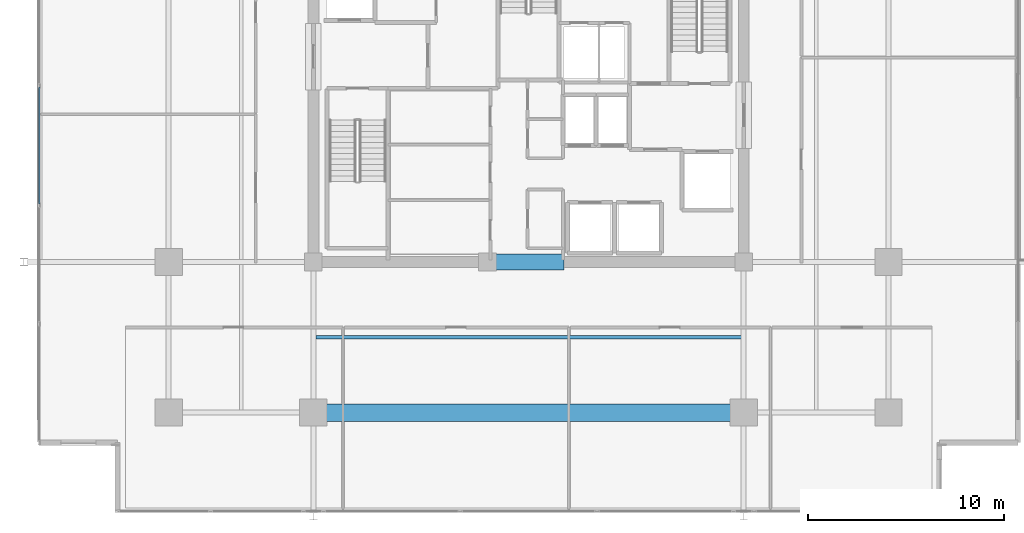
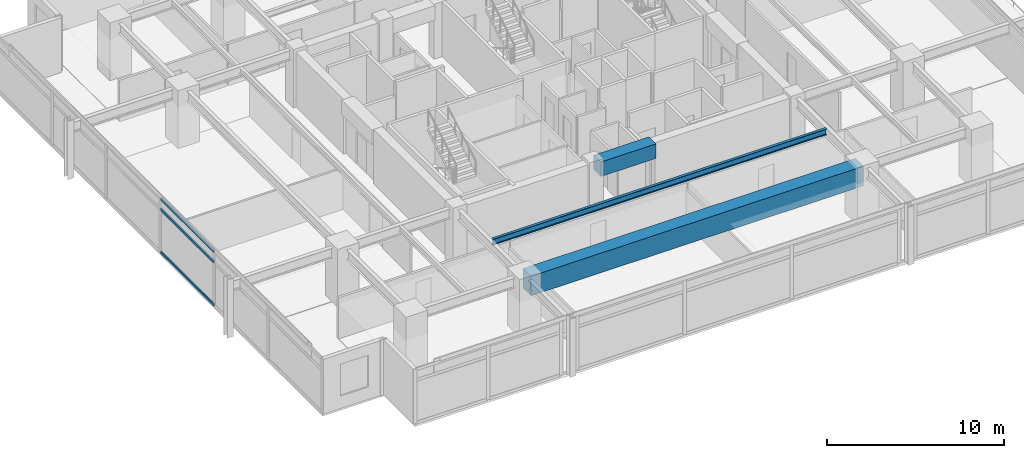
# One storey, part 5 of 21: 3 beams, 3 members, 1 element without a shape of its own.
"""IFC4 building model written with IfcOpenShell, lengths in metres."""

from ifc_helpers import new_model, si_unit, direction, frame, origin, origin_2d, place, context, subcontext, project, spatial, rectangle, hollow_rectangle, i_section, extrude, material, material_profile, profile_set, type_object, element, aggregate, save


model = new_model("IFC4")

# Units and contexts
model_context = context("Model", 3, precision=1e-05, world=origin(), true_north=direction((0.0, 1.0)))
body_context = subcontext(model_context, "Body", "Model", "MODEL_VIEW")
ifc_project = project(units=[si_unit("LENGTHUNIT", "METRE"), si_unit("AREAUNIT", "SQUARE_METRE"), si_unit("VOLUMEUNIT", "CUBIC_METRE"), si_unit("PLANEANGLEUNIT", "RADIAN"), si_unit("MASSUNIT", "GRAM", prefix="KILO")], contexts=[model_context])

# Site, building, storey
site_placement = place(None, origin())
site = spatial("IfcSite", under=ifc_project, at=site_placement, CompositionType="ELEMENT")
building_placement = place(site_placement, origin())
building = spatial("IfcBuilding", under=site, at=building_placement, Name="Kovane Verandah Tower", CompositionType="ELEMENT")
storey_placement = place(building_placement, frame((0.0, 0.0, 209.199951171875)))
storey = spatial("IfcBuildingStorey", under=building, at=storey_placement, Name="L48", CompositionType="ELEMENT", Elevation=209.199951171875)

# Beams
ifc_material_1 = material(Name="Concrete C60/75", Category="concrete")
ifc_material_profile_1 = material_profile(ifc_material_1, rectangle(XDim=0.800048828125, YDim=1.0, at=origin_2d()), Name="RCB800x1000")
ifc_profile_set_1 = profile_set([ifc_material_profile_1], Name="Concrete C60/75")
beam_type_1 = type_object("IfcBeamType", Name="BM-LINTEL-800x1000", PredefinedType="LINTEL", material=ifc_profile_set_1)
beam_1_placement = place(storey_placement, frame((38.199951171875, 18.5, 3.275146484375), z_axis=(1.0, 0.0, 0.0), x_axis=(0.0, 1.0, 0.0)))
element("IfcBeam", 1, at=beam_1_placement, inside=storey, type_object=beam_type_1, Name="L48 Core Coupling Lintel CL-S", PredefinedType="LINTEL", context=body_context, shape_type="SweptSolid", body=[
    extrude(rectangle(XDim=0.800048828125, YDim=1.0, at=origin_2d()), origin(), (0.0, 0.0, 1.0), 3.60009765625),
])
ifc_material_2 = material(Name="Concrete C80/95", Category="concrete")
ifc_material_profile_2 = material_profile(ifc_material_2, rectangle(XDim=0.89990234375, YDim=1.35009765625, at=origin_2d()), Name="RCB900x1350")
ifc_profile_set_2 = profile_set([ifc_material_profile_2], Name="Concrete C80/95")
beam_type_2 = type_object("IfcBeamType", Name="BM-TR-900x1350", PredefinedType="BEAM", material=ifc_profile_set_2)
beam_2_placement = place(storey_placement, frame((29.179931640625, 10.800048828125, 3.10009765625), z_axis=(1.0, 0.0, 0.0), x_axis=(0.0, 1.0, 0.0)))
element("IfcBeam", 2, at=beam_2_placement, inside=storey, type_object=beam_type_2, Name="L48 Primary Tower Girder G-RS2", PredefinedType="BEAM", context=body_context, shape_type="SweptSolid", body=[
    extrude(rectangle(XDim=0.89990234375, YDim=1.35009765625, at=origin_2d()), origin(), (0.0, 0.0, 1.0), 21.64013671875),
])

# Curtain wall, members
ifc_material_3 = material(Name="Champagne Anodised Aluminium Frame with Low-E Clear Laminated Glass", Category="aluminium")
curtain_wall_type = type_object("IfcCurtainWallType", Name="CW-SYS-03-MID", PredefinedType="NOTDEFINED", material=ifc_material_3)
curtain_wall_placement = place(storey_placement, origin())
curtain_wall = element("IfcCurtainWall", 3, at=curtain_wall_placement, inside=storey, type_object=curtain_wall_type, Name="L48 W Unitised Curtain Wall", PredefinedType="NOTDEFINED")
ifc_material_4 = material(Name="Champagne Anodised Aluminium 6063-T6", Category="aluminium")
ifc_material_profile_3 = material_profile(ifc_material_4, hollow_rectangle(XDim=0.0849609375, YDim=0.18994140625, WallThickness=0.00390625, at=origin_2d()), Name="AL85x190x4")
ifc_profile_set_3 = profile_set([ifc_material_profile_3], Name="Champagne Anodised Aluminium 6063-T6")
member_type = type_object("IfcMemberType", Name="CW-TRN-85x190", PredefinedType="USERDEFINED", material=ifc_profile_set_3)
member_1_placement = place(storey_placement, frame((14.982177734375, 27.449951171875, 0.050048828125), z_axis=(0.0, -1.0, 0.0), x_axis=(1.0, 0.0, 0.0)))
member_1 = element("IfcMember", 4, at=member_1_placement, type_object=member_type, Name="L48 W Unitised Curtain Wall Transom TB Bay 4", ObjectType="TRANSOM", PredefinedType="USERDEFINED", context=body_context, shape_type="SweptSolid", body=[
    extrude(hollow_rectangle(XDim=0.0849609375, YDim=0.18994140625, WallThickness=0.00390625, at=origin_2d()), origin(), (0.0, 0.0, 1.0), 5.98046875),
])
member_2_placement = place(storey_placement, frame((14.982177734375, 27.449951171875, 2.9951171875), z_axis=(0.0, -1.0, 0.0), x_axis=(1.0, 0.0, 0.0)))
member_2 = element("IfcMember", 5, at=member_2_placement, type_object=member_type, Name="L48 W Unitised Curtain Wall Transom TM Bay 4", ObjectType="TRANSOM", PredefinedType="USERDEFINED", context=body_context, shape_type="SweptSolid", body=[
    extrude(hollow_rectangle(XDim=0.0849609375, YDim=0.18994140625, WallThickness=0.00390625, at=origin_2d()), origin(), (0.0, 0.0, 1.0), 5.98046875),
])
member_3_placement = place(storey_placement, frame((14.982177734375, 27.449951171875, 3.72509765625), z_axis=(0.0, -1.0, 0.0), x_axis=(1.0, 0.0, 0.0)))
member_3 = element("IfcMember", 6, at=member_3_placement, type_object=member_type, Name="L48 W Unitised Curtain Wall Transom TT Bay 4", ObjectType="TRANSOM", PredefinedType="USERDEFINED", context=body_context, shape_type="SweptSolid", body=[
    extrude(hollow_rectangle(XDim=0.0849609375, YDim=0.18994140625, WallThickness=0.00390625, at=origin_2d()), origin(), (0.0, 0.0, 1.0), 5.98046875),
])
aggregate(curtain_wall, [member_1, member_2, member_3])

# Beam
ifc_material_5 = material(Name="Steel S355", Category="steel")
ifc_material_profile_4 = material_profile(ifc_material_5, i_section(OverallWidth=0.179443359375, OverallDepth=0.412841796875, WebThickness=0.009521484375, FlangeThickness=0.01611328125, FilletRadius=0.01025390625, at=origin_2d()), Name="UB406x178x74")
ifc_profile_set_4 = profile_set([ifc_material_profile_4], Name="Steel S355")
beam_type_3 = type_object("IfcBeamType", Name="JST-UB406x74", PredefinedType="JOIST", material=ifc_profile_set_4)
beam_3_placement = place(storey_placement, frame((29.1259765625, 14.64990234375, 3.568603515625), z_axis=(1.0, 0.0, 0.0), x_axis=(0.0, 1.0, 0.0)))
element("IfcBeam", 7, at=beam_3_placement, inside=storey, type_object=beam_type_3, Name="L48 Secondary Composite Joist J-S1", PredefinedType="JOIST", context=body_context, shape_type="SweptSolid", body=[
    extrude(i_section(OverallWidth=0.179443359375, OverallDepth=0.412841796875, WebThickness=0.009521484375, FlangeThickness=0.01611328125, FilletRadius=0.01025390625, at=origin_2d()), origin(), (0.0, 0.0, 1.0), 21.748046875),
])

save(model, "model.ifc")
